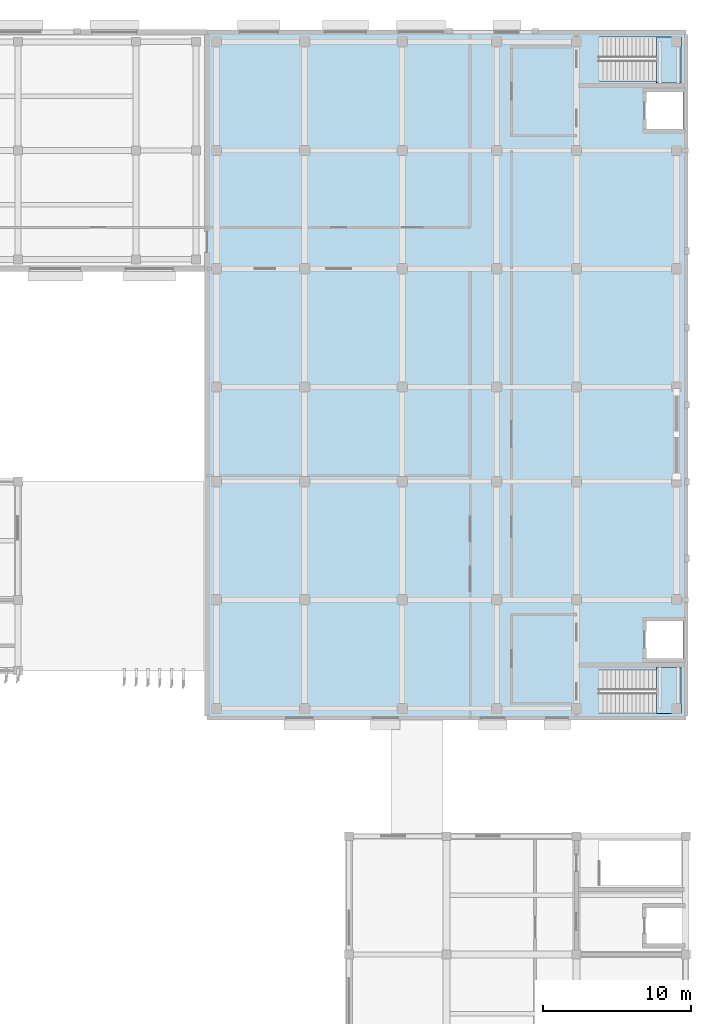
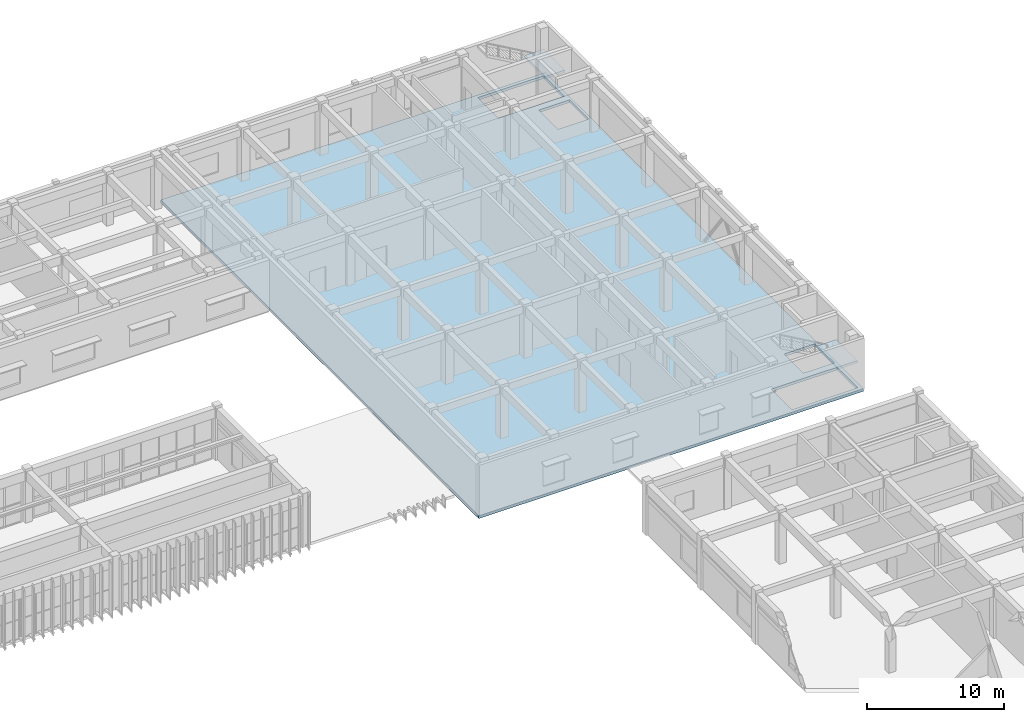
# One storey, part 48 of 76: 3 slabs, 2 elements without a shape of their own.
"""IFC4 building model written with IfcOpenShell, lengths in metres."""

from ifc_helpers import new_model, si_unit, direction, frame, origin, place, context, subcontext, project, spatial, polyline, outline, extrude, material, layer, layer_set, type_object, element, aggregate, save


model = new_model("IFC4")

# Units and contexts
model_context = context("Model", 3, precision=1e-05, world=origin(), true_north=direction((0.0, 1.0)))
body_context = subcontext(model_context, "Body", "Model", "MODEL_VIEW")
ifc_project = project(units=[si_unit("LENGTHUNIT", "METRE"), si_unit("AREAUNIT", "SQUARE_METRE"), si_unit("VOLUMEUNIT", "CUBIC_METRE"), si_unit("PLANEANGLEUNIT", "RADIAN"), si_unit("MASSUNIT", "GRAM", prefix="KILO")], contexts=[model_context])

# Site, building, storey
site_placement = place(None, origin())
site = spatial("IfcSite", under=ifc_project, at=site_placement, CompositionType="ELEMENT")
building_placement = place(site_placement, origin())
building = spatial("IfcBuilding", under=site, at=building_placement, Name="Cinchona Park Media Centre", CompositionType="ELEMENT")
storey_placement = place(building_placement, frame((0.0, 0.0, 15.60009765625)))
storey = spatial("IfcBuildingStorey", under=building, at=storey_placement, Name="L03", CompositionType="ELEMENT", Elevation=15.60009765625)

# Stair, slab
ifc_material_1 = material(Name="Concrete C35/45", Category="concrete")
stair_type_1 = type_object("IfcStairType", Name="STAIR-ST1-HT48", PredefinedType="HALF_TURN_STAIR", material=ifc_material_1)
stair_1_placement = place(storey_placement, origin())
stair_1 = element("IfcStair", 1, at=stair_1_placement, inside=storey, type_object=stair_type_1, Name="Exit Stair ST1 L03", PredefinedType="HALF_TURN_STAIR")
ifc_material_2 = material(Name="Concrete C35/45", Category="concrete")
ifc_layer_1 = layer(ifc_material_2, 0.205078125)
ifc_layer_set_1 = layer_set([ifc_layer_1], Name="Concrete C35/45")
slab_type_1 = type_object("IfcSlabType", Name="LANDING-LDG01", PredefinedType="LANDING", material=ifc_layer_set_1)
slab_1_placement = place(storey_placement, frame((0.0, 0.0, 2.19482421875)))
slab_1 = element("IfcSlab", 2, at=slab_1_placement, type_object=slab_type_1, Name="ST1 landing 1", PredefinedType="LANDING", context=body_context, shape_type="SweptSolid", body=[
    extrude(outline(polyline([(170.02001953125, 71.919921875), (171.679931640625, 71.919921875), (171.679931640625, 75.02001953125), (170.02001953125, 75.02001953125), (170.02001953125, 71.919921875)])), origin(), (0.0, 0.0, 1.0), 0.205078125),
])
aggregate(stair_1, [slab_1])

ifc_material_3 = material(Name="Concrete C35/45", Category="concrete")
stair_type_2 = type_object("IfcStairType", Name="STAIR-ST2-HT48", PredefinedType="HALF_TURN_STAIR", material=ifc_material_3)
stair_2_placement = place(storey_placement, origin())
stair_2 = element("IfcStair", 3, at=stair_2_placement, inside=storey, type_object=stair_type_2, Name="Exit Stair ST2 L03", PredefinedType="HALF_TURN_STAIR")
slab_2_placement = place(storey_placement, frame((0.0, 0.0, 2.19482421875)))
slab_2 = element("IfcSlab", 4, at=slab_2_placement, type_object=slab_type_1, Name="ST2 landing 1", PredefinedType="LANDING", context=body_context, shape_type="SweptSolid", body=[
    extrude(outline(polyline([(170.02001953125, 114.580078125), (171.679931640625, 114.580078125), (171.679931640625, 117.679931640625), (170.02001953125, 117.679931640625), (170.02001953125, 114.580078125)])), origin(), (0.0, 0.0, 1.0), 0.205078125),
])
aggregate(stair_2, [slab_2])

# Slab
ifc_material_4 = material(Name="Concrete C35/45", Category="concrete")
ifc_layer_2 = layer(ifc_material_4, 0.239990234375)
ifc_layer_set_2 = layer_set([ifc_layer_2], Name="Concrete C35/45")
slab_type_2 = type_object("IfcSlabType", Name="SLAB-SL07-240", PredefinedType="FLOOR", material=ifc_layer_set_2)
slab_3_placement = place(storey_placement, frame((0.0, 0.0, -0.239990234375)))
element("IfcSlab", 5, at=slab_3_placement, inside=storey, type_object=slab_type_2, Name="Floor Slab V7 L03", PredefinedType="FLOOR", context=body_context, shape_type="SweptSolid", body=[
    extrude(outline(polyline([(139.60009765625, 71.60009765625), (172.0, 71.60009765625), (172.0, 118.0), (139.60009765625, 118.0), (139.60009765625, 71.60009765625)]), holes=[polyline([(166.135009765625, 71.89990234375), (171.699951171875, 71.89990234375), (171.699951171875, 74.89990234375), (166.135009765625, 74.89990234375), (166.135009765625, 71.89990234375)]), polyline([(169.199951171875, 75.5), (171.800048828125, 75.5), (171.800048828125, 78.300048828125), (169.199951171875, 78.300048828125), (169.199951171875, 75.5)]), polyline([(166.135009765625, 114.699951171875), (171.699951171875, 114.699951171875), (171.699951171875, 117.699951171875), (166.135009765625, 117.699951171875), (166.135009765625, 114.699951171875)]), polyline([(169.199951171875, 111.300048828125), (171.800048828125, 111.300048828125), (171.800048828125, 114.10009765625), (169.199951171875, 114.10009765625), (169.199951171875, 111.300048828125)])]), origin(), (0.0, 0.0, 1.0), 0.239990234375),
])

save(model, "model.ifc")
